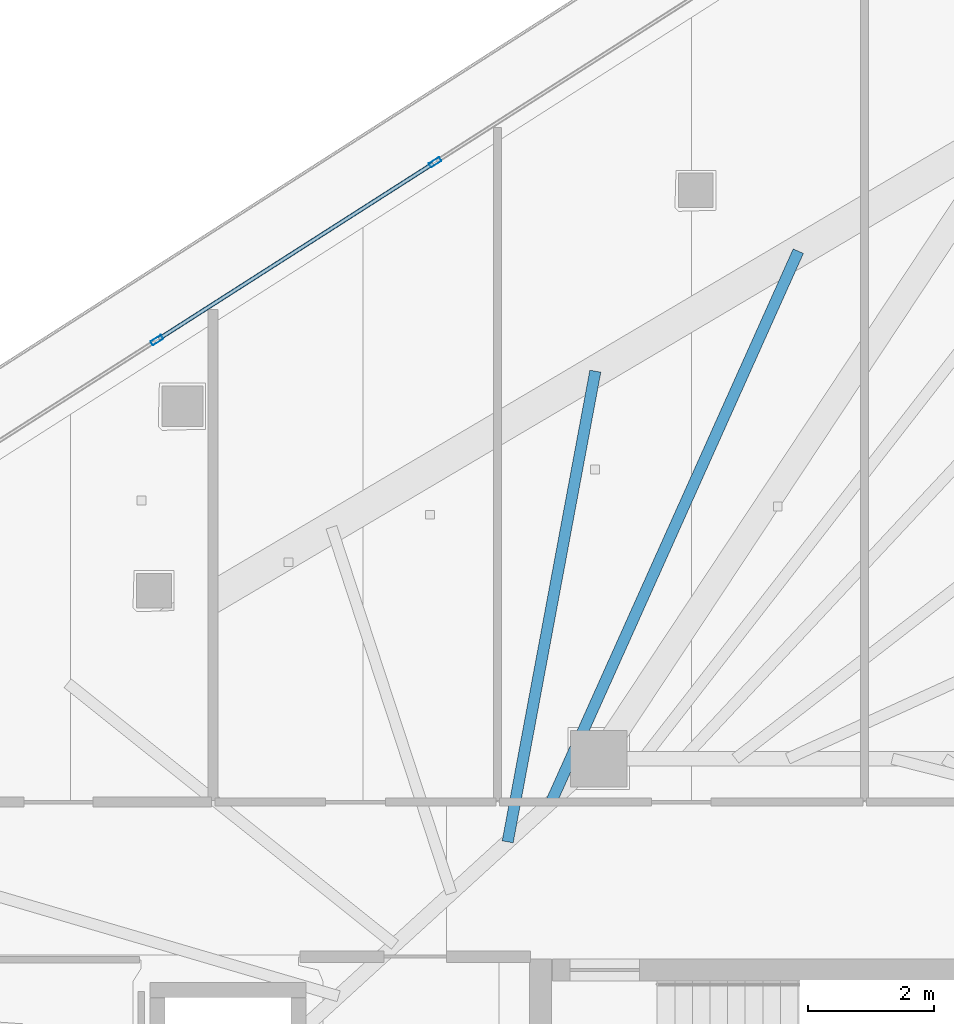
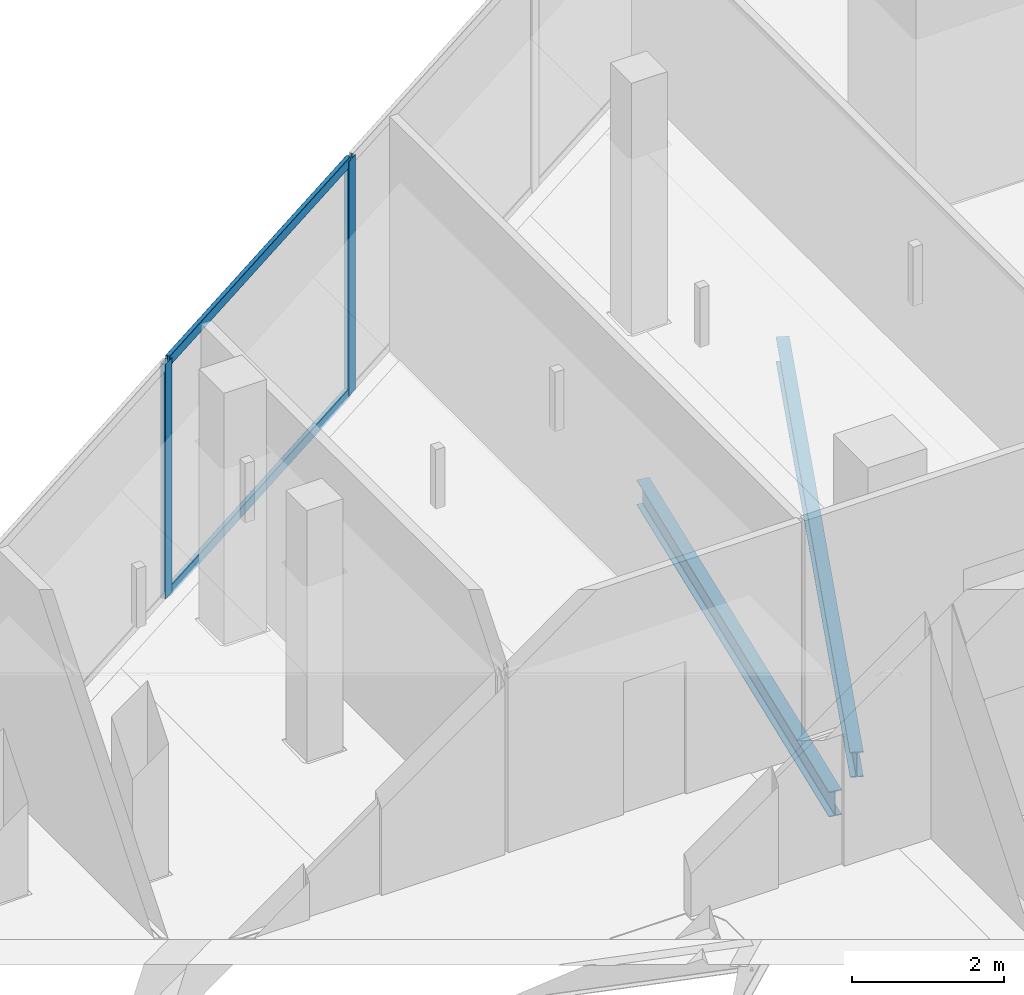
# One storey, part 19 of 36: 4 members, 2 beams, 1 element without a shape of its own.
"""IFC4 building model written with IfcOpenShell, lengths in metres."""

from ifc_helpers import new_model, si_unit, direction, frame, origin, origin_2d, place, context, subcontext, project, spatial, hollow_rectangle, i_section, extrude, material, layer, layer_set, material_profile, profile_set, type_object, element, aggregate, save


model = new_model("IFC4")

# Units and contexts
model_context = context("Model", 3, precision=1e-05, world=origin(), true_north=direction((0.0, 1.0)))
body_context = subcontext(model_context, "Body", "Model", "MODEL_VIEW")
ifc_project = project(units=[si_unit("LENGTHUNIT", "METRE"), si_unit("AREAUNIT", "SQUARE_METRE"), si_unit("VOLUMEUNIT", "CUBIC_METRE"), si_unit("PLANEANGLEUNIT", "RADIAN"), si_unit("MASSUNIT", "GRAM", prefix="KILO")], contexts=[model_context])

# Site, building, storey
site_placement = place(None, origin())
site = spatial("IfcSite", under=ifc_project, at=site_placement, CompositionType="ELEMENT")
building_placement = place(site_placement, origin())
building = spatial("IfcBuilding", under=site, at=building_placement, Name="Qorvath Tower", CompositionType="ELEMENT")
storey_placement = place(building_placement, frame((0.0, 0.0, 229.35009765625)))
storey = spatial("IfcBuildingStorey", under=building, at=storey_placement, Name="L53", CompositionType="ELEMENT", Elevation=229.35009765625)

# Beams
ifc_material_1 = material(Name="Steel ASTM A992 Grade 50", Category="steel")
ifc_material_profile_1 = material_profile(ifc_material_1, i_section(OverallWidth=0.177978515625, OverallDepth=0.406005859375, WebThickness=0.0078125, FlangeThickness=0.0126953125, FilletRadius=0.010986328125, at=origin_2d()), Name="W16x40")
ifc_profile_set_1 = profile_set([ifc_material_profile_1], Name="Steel ASTM A992 Grade 50")
beam_type = type_object("IfcBeamType", Name="BM-FJ3", PredefinedType="JOIST", material=ifc_profile_set_1)
beam_1_placement = place(storey_placement, frame((-25.049072265625, 10.126953125, -0.472900390625), z_axis=(0.183026775988, 0.983107928598, 0.0), x_axis=(-0.983107928598, 0.183026775988, 0.0)))
element("IfcBeam", 1, at=beam_1_placement, inside=storey, type_object=beam_type, Name="Composite Floor Joist NW6 L53", PredefinedType="JOIST", context=body_context, shape_type="SweptSolid", body=[
    extrude(i_section(OverallWidth=0.177978515625, OverallDepth=0.406005859375, WebThickness=0.0078125, FlangeThickness=0.0126953125, FilletRadius=0.010986328125, at=origin_2d()), origin(), (0.0, 0.0, 1.0), 7.617919921875),
])
beam_2_placement = place(storey_placement, frame((-24.35888671875, 10.757080078125, -0.472900390625), z_axis=(0.409327209141, 0.912387656568, 0.0), x_axis=(-0.912387656568, 0.409327209141, 0.0)))
element("IfcBeam", 2, at=beam_2_placement, inside=storey, type_object=beam_type, Name="Composite Floor Joist NW7 L53", PredefinedType="JOIST", context=body_context, shape_type="SweptSolid", body=[
    extrude(i_section(OverallWidth=0.177978515625, OverallDepth=0.406005859375, WebThickness=0.0078125, FlangeThickness=0.0126953125, FilletRadius=0.010986328125, at=origin_2d()), origin(), (0.0, 0.0, 1.0), 9.611083984375),
])

# Curtain wall, members
ifc_material_2 = material(Name="Anodised aluminium and triple low-E glass", Category="aluminium")
ifc_layer = layer(ifc_material_2, 0.179931640625)
ifc_layer_set = layer_set([ifc_layer], Name="CW-SYS-5")
curtain_wall_type = type_object("IfcCurtainWallType", Name="CW-SYS-5", PredefinedType="NOTDEFINED", material=ifc_layer_set)
curtain_wall_placement = place(storey_placement, origin())
curtain_wall = element("IfcCurtainWall", 3, at=curtain_wall_placement, inside=storey, type_object=curtain_wall_type, Name="Curtain Wall CW-5 CW-T-L53-18.1", PredefinedType="NOTDEFINED")
ifc_material_3 = material(Name="Anodised aluminium 6063-T6", Category="aluminium")
ifc_material_profile_2 = material_profile(ifc_material_3, hollow_rectangle(XDim=0.074951171875, YDim=0.199951171875, WallThickness=0.00390625, InnerFilletRadius=0.00390625, OuterFilletRadius=0.008056640625, at=origin_2d()), Name="CWM 200x75")
ifc_profile_set_2 = profile_set([ifc_material_profile_2], Name="Anodised aluminium 6063-T6")
member_type_1 = type_object("IfcMemberType", Name="CWM-200", PredefinedType="MULLION", material=ifc_profile_set_2)
member_1_placement = place(storey_placement, frame((-26.204345703125, 20.940185546875, 0.0), z_axis=(0.0, 0.0, 1.0), x_axis=(0.538531098636, -0.842605634803, 0.0)))
member_1 = element("IfcMember", 4, at=member_1_placement, type_object=member_type_1, Name="CW-5 mullion 3", PredefinedType="MULLION", context=body_context, shape_type="SweptSolid", body=[
    extrude(hollow_rectangle(XDim=0.074951171875, YDim=0.199951171875, WallThickness=0.00390625, InnerFilletRadius=0.00390625, OuterFilletRadius=0.008056640625, at=origin_2d()), origin(), (0.0, 0.0, 1.0), 3.77978515625),
])
member_2_placement = place(storey_placement, frame((-30.630859375, 18.111083984375, 0.0), z_axis=(0.0, 0.0, 1.0), x_axis=(0.538531098636, -0.842605634803, 0.0)))
member_2 = element("IfcMember", 5, at=member_2_placement, type_object=member_type_1, Name="CW-5 mullion 4", PredefinedType="MULLION", context=body_context, shape_type="SweptSolid", body=[
    extrude(hollow_rectangle(XDim=0.074951171875, YDim=0.199951171875, WallThickness=0.00390625, InnerFilletRadius=0.00390625, OuterFilletRadius=0.008056640625, at=origin_2d()), origin(), (0.0, 0.0, 1.0), 3.77978515625),
])
ifc_material_4 = material(Name="Anodised aluminium 6063-T6", Category="aluminium")
ifc_material_profile_3 = material_profile(ifc_material_4, hollow_rectangle(XDim=0.06494140625, YDim=0.159912109375, WallThickness=0.00341796875, InnerFilletRadius=0.00341796875, OuterFilletRadius=0.007080078125, at=origin_2d()), Name="CWT 160x65")
ifc_profile_set_3 = profile_set([ifc_material_profile_3], Name="Anodised aluminium 6063-T6")
member_type_2 = type_object("IfcMemberType", Name="CWT-160", PredefinedType="USERDEFINED", material=ifc_profile_set_3)
member_3_placement = place(storey_placement, frame((-26.23583984375, 20.919921875, 0.032470703125), z_axis=(-0.842629113093, -0.538494361872, 0.0), x_axis=(0.538494361872, -0.842629113093, 0.0)))
member_3 = element("IfcMember", 6, at=member_3_placement, type_object=member_type_2, Name="CW-5 transom 3.1", ObjectType="TRANSOM", PredefinedType="USERDEFINED", context=body_context, shape_type="SweptSolid", body=[
    extrude(hollow_rectangle(XDim=0.06494140625, YDim=0.159912109375, WallThickness=0.00341796875, InnerFilletRadius=0.00341796875, OuterFilletRadius=0.007080078125, at=origin_2d()), origin(), (0.0, 0.0, 1.0), 5.178466796875),
])
member_4_placement = place(storey_placement, frame((-26.23583984375, 20.919921875, 3.747314453125), z_axis=(-0.842629113093, -0.538494361872, 0.0), x_axis=(0.538494361872, -0.842629113093, 0.0)))
member_4 = element("IfcMember", 7, at=member_4_placement, type_object=member_type_2, Name="CW-5 transom 3.2", ObjectType="TRANSOM", PredefinedType="USERDEFINED", context=body_context, shape_type="SweptSolid", body=[
    extrude(hollow_rectangle(XDim=0.06494140625, YDim=0.159912109375, WallThickness=0.00341796875, InnerFilletRadius=0.00341796875, OuterFilletRadius=0.007080078125, at=origin_2d()), origin(), (0.0, 0.0, 1.0), 5.178466796875),
])
aggregate(curtain_wall, [member_1, member_2, member_3, member_4])

save(model, "model.ifc")
